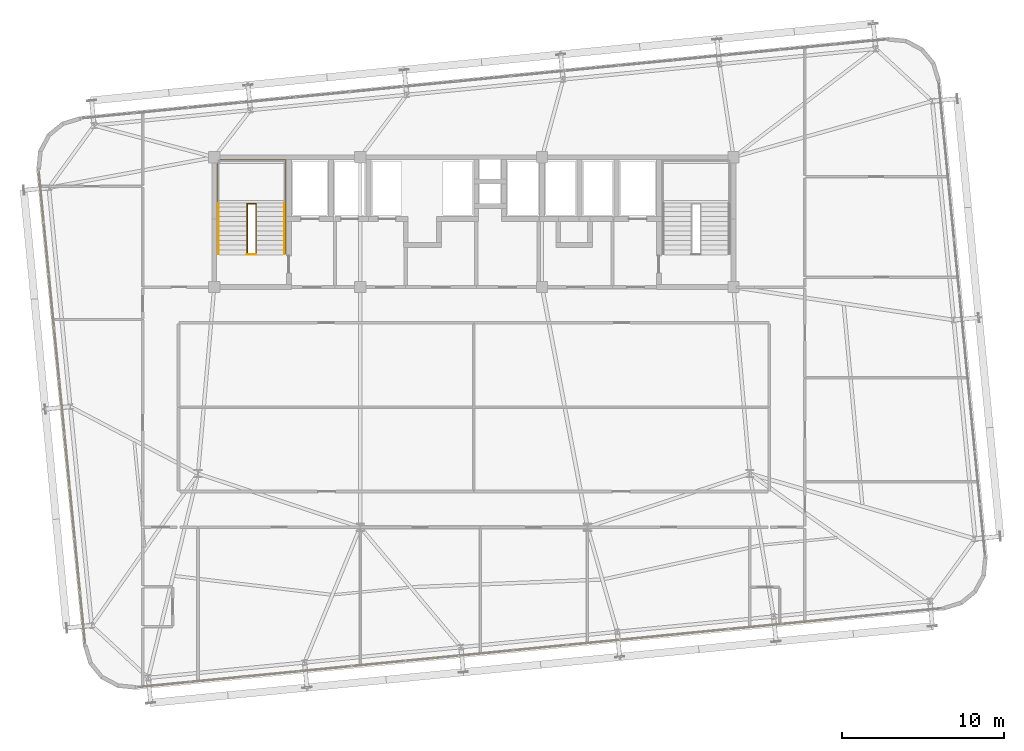
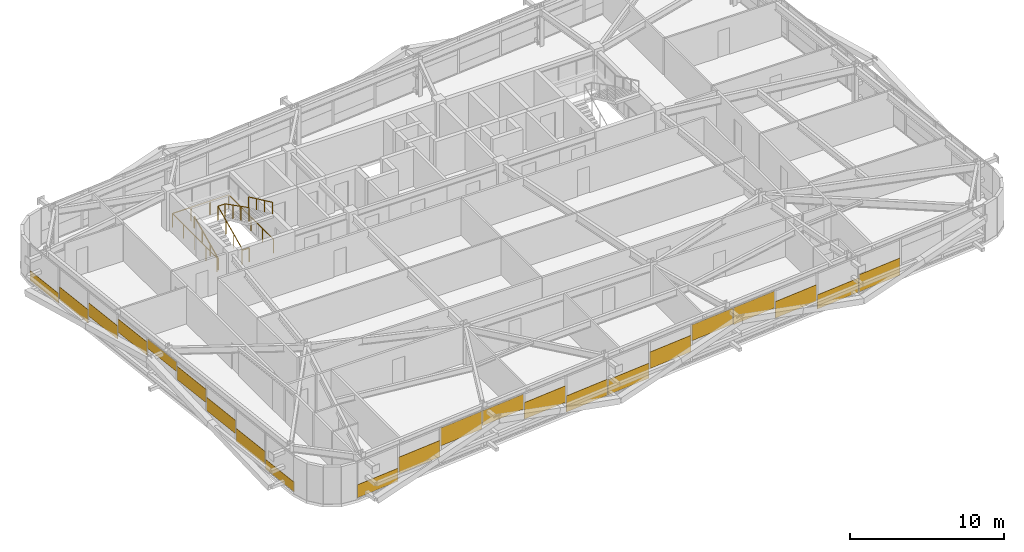
# One storey, part 50 of 52: 22 coverings, 5 railings.
"""IFC4 building model written with IfcOpenShell, lengths in metres."""

import ifcopenshell
import ifcopenshell.guid

model = None  # the IFC model being written
_history = None  # IfcOwnerHistory: only IFC2X3 demands one
_inside = {}  # id of a spatial element -> (the spatial element, [elements in it])
_under = {}  # id of a project, library or spatial element -> (it, [spatial elements below it])
_declared = {}  # id of a project -> (the project, [libraries it declares])
_typed = {}  # id of a type object -> (the type object, [elements of that type])
_made_of = {}  # id of a material, layer set ... -> (it, [elements and type objects made of it])


def new_model(schema):
    """Start an empty IFC model of exactly this schema.

    Asked for "IFC4X3", IfcOpenShell would pick the latest addendum, in which some entities
    have other attributes; the version numbers below select the first issue.
    IFC2X3 requires an IfcOwnerHistory on every rooted entity: one is made here for all.
    """
    global model, _history
    if schema == "IFC4X3":
        model = ifcopenshell.file(schema_version=(4, 3, 0, 0))
    else:
        model = ifcopenshell.file(schema=schema)
    _inside.clear()
    _under.clear()
    _declared.clear()
    _typed.clear()
    _made_of.clear()
    _history = None
    if model.schema == "IFC2X3":
        org = make("IfcOrganization", Name="unknown")
        user = make(
            "IfcPersonAndOrganization",
            ThePerson=make("IfcPerson", FamilyName="unknown"),
            TheOrganization=org,
        )
        app = make(
            "IfcApplication",
            ApplicationDeveloper=org,
            Version="unknown",
            ApplicationFullName="unknown",
            ApplicationIdentifier="unknown",
        )
        _history = make(
            "IfcOwnerHistory",
            OwningUser=user,
            OwningApplication=app,
            ChangeAction="ADDED",
            CreationDate=0,
        )
    return model


def make(cls, **values):
    """One entity of the class cls with the attributes given. An attribute that is None is left unset."""
    return model.create_entity(
        cls, **{name: value for name, value in values.items() if value is not None}
    )


def rooted(cls, **values):
    """An entity with a GlobalId (a new one), such as an element, a storey or a relation."""
    return make(cls, GlobalId=ifcopenshell.guid.new(), OwnerHistory=_history, **values)


def si_unit(unit_type, name, prefix=None):
    """IfcSIUnit, for example si_unit("LENGTHUNIT", "METRE", prefix="MILLI")."""
    return make("IfcSIUnit", UnitType=unit_type, Prefix=prefix, Name=name)


def assignment(units):
    """IfcUnitAssignment: the units of a project."""
    return None if units is None else make("IfcUnitAssignment", Units=units)


def point(xyz):
    """IfcCartesianPoint."""
    return None if xyz is None else make("IfcCartesianPoint", Coordinates=xyz)


def direction(xyz):
    """IfcDirection."""
    return None if xyz is None else make("IfcDirection", DirectionRatios=xyz)


def frame(location, z_axis=None, x_axis=None):
    """IfcAxis2Placement3D, a coordinate frame: its origin and axes. An axis left out is left unset."""
    return make(
        "IfcAxis2Placement3D",
        Location=point(location),
        Axis=direction(z_axis),
        RefDirection=direction(x_axis),
    )


def frame_2d(location, x_axis=None):
    """IfcAxis2Placement2D, a coordinate frame in the plane: its origin and x axis."""
    return make(
        "IfcAxis2Placement2D", Location=point(location), RefDirection=direction(x_axis)
    )


def origin():
    """The frame at (0, 0, 0) with its axes left unset."""
    return frame((0.0, 0.0, 0.0))


def origin_2d():
    """The frame at (0, 0) in the plane with its x axis left unset."""
    return frame_2d((0.0, 0.0))


def place(relative_to, where):
    """IfcLocalPlacement: puts the frame where relative to a parent placement (None: the world)."""
    return make(
        "IfcLocalPlacement", PlacementRelTo=relative_to, RelativePlacement=where
    )


def context(
    kind, dimensions, precision=None, world=None, true_north=None, identifier=None
):
    """IfcGeometricRepresentationContext, for example the 3D "Model" context."""
    return make(
        "IfcGeometricRepresentationContext",
        ContextIdentifier=identifier,
        ContextType=kind,
        CoordinateSpaceDimension=dimensions,
        Precision=precision,
        WorldCoordinateSystem=world,
        TrueNorth=true_north,
    )


def subcontext(parent, identifier, kind, view, scale=None):
    """IfcGeometricRepresentationSubContext, for example "Body" below "Model"."""
    return make(
        "IfcGeometricRepresentationSubContext",
        ContextIdentifier=identifier,
        ContextType=kind,
        ParentContext=parent,
        TargetScale=scale,
        TargetView=view,
    )


def project(units=None, contexts=None):
    """IfcProject with its units and contexts."""
    return rooted(
        "IfcProject",
        Name="project",
        RepresentationContexts=contexts,
        UnitsInContext=assignment(units),
    )


def spatial(cls, under=None, at=None, **own):
    """A site, building, storey or space (cls), placed at a placement, below another one or the project."""
    s = rooted(cls, ObjectPlacement=at, **own)
    if under is not None:
        _under.setdefault(under.id(), (under, []))[1].append(s)
    return s


def profile(cls, at=None, kind="AREA", **sizes):
    """A parametric profile (cls). Its sizes go by their IFC names, for example OverallWidth=200.0."""
    return make(cls, ProfileType=kind, Position=at, **sizes)


def rectangle(**sizes):
    """IfcRectangleProfileDef."""
    return profile("IfcRectangleProfileDef", **sizes)


def extrude(swept, where, along, depth):
    """IfcExtrudedAreaSolid: the profile swept, set in the frame where, extruded along a direction by depth."""
    return make(
        "IfcExtrudedAreaSolid",
        SweptArea=swept,
        Position=where,
        ExtrudedDirection=direction(along),
        Depth=depth,
    )


def shape(context_of_items, identifier, shape_type, items):
    """IfcShapeRepresentation: the items that make up one representation, for example the "Body"."""
    return make(
        "IfcShapeRepresentation",
        ContextOfItems=context_of_items,
        RepresentationIdentifier=identifier,
        RepresentationType=shape_type,
        Items=items,
    )


def source(mapping_origin, context_of_items, identifier, shape_type, items):
    """IfcRepresentationMap: a shape defined once, which mapped items show again and again."""
    return make(
        "IfcRepresentationMap",
        MappingOrigin=mapping_origin,
        MappedRepresentation=shape(context_of_items, identifier, shape_type, items),
    )


def transform(
    local_origin,
    x_axis=None,
    y_axis=None,
    z_axis=None,
    scale=None,
    scale2=None,
    scale3=None,
    uniform=True,
):
    """IfcCartesianTransformationOperator3D, or its non-uniform kind. x_axis, y_axis, z_axis: its Axis1, 2, 3."""
    if uniform:
        return make(
            "IfcCartesianTransformationOperator3D",
            Axis1=direction(x_axis),
            Axis2=direction(y_axis),
            LocalOrigin=point(local_origin),
            Scale=scale,
            Axis3=direction(z_axis),
        )
    return make(
        "IfcCartesianTransformationOperator3DnonUniform",
        Axis1=direction(x_axis),
        Axis2=direction(y_axis),
        LocalOrigin=point(local_origin),
        Scale=scale,
        Axis3=direction(z_axis),
        Scale2=scale2,
        Scale3=scale3,
    )


def mapped(mapping_source, mapping_target):
    """IfcMappedItem: shows the shape of a source again, moved by a transform."""
    return make(
        "IfcMappedItem", MappingSource=mapping_source, MappingTarget=mapping_target
    )


def material(Name=None, Category=None):
    """IfcMaterial."""
    return make("IfcMaterial", Name=Name, Category=Category)


def layer(
    of_material, thickness, ventilated=None, Name=None, Category=None, Priority=None
):
    """IfcMaterialLayer: one layer of a wall or slab, of a material (None: an air gap)."""
    return make(
        "IfcMaterialLayer",
        Material=of_material,
        LayerThickness=thickness,
        IsVentilated=ventilated,
        Name=Name,
        Category=Category,
        Priority=Priority,
    )


def layer_set(layers, Name=None):
    """IfcMaterialLayerSet."""
    return make("IfcMaterialLayerSet", MaterialLayers=layers, LayerSetName=Name)


def made_of(thing, what):
    """Note that an element or type object is made of a material, layer set ...; save() writes the relation."""
    if what is not None:
        _made_of.setdefault(what.id(), (what, []))[1].append(thing)
    return thing


def type_object(cls, material=None, **own):
    """A type object (cls), such as IfcWallType, which elements share."""
    return made_of(rooted(cls, **own), material)


def element(
    cls,
    number,
    at=None,
    inside=None,
    cuts=None,
    type_object=None,
    material=None,
    context=None,
    identifier="Body",
    shape_type=None,
    held_by="IfcProductDefinitionShape",
    body=None,
    shapes=None,
    **own,
):
    """One element of the class cls, such as IfcWall. Its Tag is "e" and its number.

    at: its placement. inside: the storey or other place that contains it. cuts: it is an
    opening in that element (IfcRelVoidsElement). A single representation is given by context,
    identifier, shape_type and body (its items); several are given by shapes. held_by: the class
    of the entity that holds the representations. save() writes the other relations.
    """
    e = rooted(cls, Tag="e%d" % number, ObjectPlacement=at, **own)
    if body is not None:
        shapes = [shape(context, identifier, shape_type, body)]
    if shapes is not None:
        e.Representation = make(held_by, Representations=shapes)
    if inside is not None:
        _inside.setdefault(inside.id(), (inside, []))[1].append(e)
    if cuts is not None:
        rooted(
            "IfcRelVoidsElement", RelatingBuildingElement=cuts, RelatedOpeningElement=e
        )
    if type_object is not None:
        _typed.setdefault(type_object.id(), (type_object, []))[1].append(e)
    return made_of(e, material)


def aggregate(whole, parts):
    """IfcRelAggregates: a whole, such as a stair, and the parts it consists of."""
    return rooted("IfcRelAggregates", RelatingObject=whole, RelatedObjects=parts)


def save(model, path):
    """Write the relations noted so far, then the file.

    IfcRelAggregates (storeys below a building ...), IfcRelContainedInSpatialStructure (elements
    in a storey), IfcRelDefinesByType, IfcRelAssociatesMaterial and IfcRelDeclares: one each for
    every whole, place, type object, material and project.
    """
    for whole, parts in _under.values():
        aggregate(whole, parts)
    for where, things in _inside.values():
        rooted(
            "IfcRelContainedInSpatialStructure",
            RelatedElements=things,
            RelatingStructure=where,
        )
    for kind, things in _typed.values():
        rooted("IfcRelDefinesByType", RelatedObjects=things, RelatingType=kind)
    for what, things in _made_of.values():
        rooted("IfcRelAssociatesMaterial", RelatedObjects=things, RelatingMaterial=what)
    for by, libraries in _declared.values():
        rooted("IfcRelDeclares", RelatingContext=by, RelatedDefinitions=libraries)
    model.write(path)


model = new_model("IFC4")

# Units and contexts
model_context = context("Model", 3, precision=1e-05, world=origin(), true_north=direction((0.0, 1.0)))
body_context = subcontext(model_context, "Body", "Model", "MODEL_VIEW")
ifc_project = project(units=[si_unit("LENGTHUNIT", "METRE"), si_unit("AREAUNIT", "SQUARE_METRE"), si_unit("VOLUMEUNIT", "CUBIC_METRE"), si_unit("PLANEANGLEUNIT", "RADIAN"), si_unit("MASSUNIT", "GRAM", prefix="KILO")], contexts=[model_context])

# Site, building, storey
site_placement = place(None, origin())
site = spatial("IfcSite", under=ifc_project, at=site_placement, CompositionType="ELEMENT")
building_placement = place(site_placement, origin())
building = spatial("IfcBuilding", under=site, at=building_placement, Name="Taldren Reach Tower", CompositionType="ELEMENT")
storey_placement = place(building_placement, frame((0.0, 0.0, 74.550048828125)))
storey = spatial("IfcBuildingStorey", under=building, at=storey_placement, Name="L22", CompositionType="ELEMENT", Elevation=74.550048828125)

# Railings
ifc_material_1 = material(Name="Steel Gr 350 (C350L0)", Category="steel")
ifc_layer_1 = layer(ifc_material_1, 0.050048828125)
ifc_layer_set_1 = layer_set([ifc_layer_1], Name="Steel Gr 350 (C350L0)")
railing_type_1 = type_object("IfcRailingType", Name="RL-STAIR-GR", PredefinedType="GUARDRAIL", material=ifc_layer_set_1)
railing_1_placement = place(storey_placement, frame((21.030029296875, 26.050048828125, 0.131103515625)))
element("IfcRailing", 1, at=railing_1_placement, inside=storey, type_object=railing_type_1, Name="Stairwell inner guard ST1-L22", PredefinedType="GUARDRAIL", context=body_context, shape_type="SweptSolid", body=[
    extrude(rectangle(XDim=0.047852, YDim=0.047852, at=origin_2d()), frame((0.0, 0.0, 1.09619140625), z_axis=(0.0, 0.905710134349, 0.423897573167), x_axis=(-1.0, 0.0, 0.0)), (0.0, 0.0, 1.0), 3.406005859375),
    extrude(rectangle(XDim=0.047852, YDim=0.047852, at=origin_2d()), frame((0.0, 3.0849609375, 2.5400390625), z_axis=(1.0, 0.0, 0.0), x_axis=(0.0, 1.0, 0.0)), (0.0, 0.0, 1.0), 0.5400390625),
    extrude(rectangle(XDim=0.047852, YDim=0.047852, at=origin_2d()), frame((0.5400390625, 3.0849609375, 2.5400390625), z_axis=(0.0, -0.890645957773, 0.45469745755), x_axis=(1.0, 0.0, 0.0)), (0.0, 0.0, 1.0), 3.463623046875),
    extrude(rectangle(XDim=0.041992, YDim=0.041992, at=origin_2d()), origin(), (0.0, 0.0, 1.0), 1.072021484375),
    extrude(rectangle(XDim=0.041992, YDim=0.041992, at=origin_2d()), frame((0.0, 1.0283203125, 0.481201171875)), (0.0, 0.0, 1.0), 1.072021484375),
    extrude(rectangle(XDim=0.041992, YDim=0.041992, at=origin_2d()), frame((0.0, 2.056640625, 0.962646484375)), (0.0, 0.0, 1.0), 1.072021484375),
    extrude(rectangle(XDim=0.041992, YDim=0.041992, at=origin_2d()), frame((0.0, 3.0849609375, 1.44384765625)), (0.0, 0.0, 1.0), 1.072021484375),
    extrude(rectangle(XDim=0.041992, YDim=0.041992, at=origin_2d()), frame((0.5400390625, 3.0849609375, 1.44384765625)), (0.0, 0.0, 1.0), 1.072021484375),
    extrude(rectangle(XDim=0.041992, YDim=0.041992, at=origin_2d()), frame((0.5400390625, 2.056640625, 1.96875)), (0.0, 0.0, 1.0), 1.072021484375),
    extrude(rectangle(XDim=0.041992, YDim=0.041992, at=origin_2d()), frame((0.5400390625, 1.0283203125, 2.493896484375)), (0.0, 0.0, 1.0), 1.072021484375),
    extrude(rectangle(XDim=0.041992, YDim=0.041992, at=origin_2d()), frame((0.5400390625, 0.0, 3.018798828125)), (0.0, 0.0, 1.0), 1.072021484375),
])
railing_2_placement = place(storey_placement, frame((21.030029296875, 26.010009765625, 0.0)))
element("IfcRailing", 2, at=railing_2_placement, inside=storey, type_object=railing_type_1, Name="Stairwell landing slot guard ST1-L22", PredefinedType="GUARDRAIL", context=body_context, shape_type="SweptSolid", body=[
    extrude(rectangle(XDim=0.047852, YDim=0.047852, at=origin_2d()), frame((0.0, 0.0, 1.09619140625), z_axis=(1.0, 0.0, 0.0), x_axis=(0.0, 1.0, 0.0)), (0.0, 0.0, 1.0), 0.5400390625),
    extrude(rectangle(XDim=0.041992, YDim=0.041992, at=origin_2d()), origin(), (0.0, 0.0, 1.0), 1.072021484375),
    extrude(rectangle(XDim=0.041992, YDim=0.041992, at=origin_2d()), frame((0.5400390625, 0.0, 0.0)), (0.0, 0.0, 1.0), 1.072021484375),
])
railing_3_placement = place(storey_placement, frame((19.18994140625, 26.050048828125, 0.0)))
element("IfcRailing", 3, at=railing_3_placement, inside=storey, type_object=railing_type_1, Name="Stairwell floor opening guard ST1-L22", PredefinedType="GUARDRAIL", context=body_context, shape_type="SweptSolid", body=[
    extrude(rectangle(XDim=0.047852, YDim=0.047852, at=origin_2d()), frame((0.0, 0.0, 1.09619140625), z_axis=(0.0, 1.0, 0.0), x_axis=(-1.0, 0.0, 0.0)), (0.0, 0.0, 1.0), 5.800048828125),
    extrude(rectangle(XDim=0.047852, YDim=0.047852, at=origin_2d()), frame((0.0, 5.800048828125, 1.09619140625), z_axis=(1.0, 0.0, 0.0), x_axis=(0.0, 1.0, 0.0)), (0.0, 0.0, 1.0), 4.219970703125),
    extrude(rectangle(XDim=0.047852, YDim=0.047852, at=origin_2d()), frame((4.219970703125, 5.800048828125, 1.09619140625), z_axis=(0.0, -1.0, 0.0), x_axis=(1.0, 0.0, 0.0)), (0.0, 0.0, 1.0), 5.800048828125),
    extrude(rectangle(XDim=0.041992, YDim=0.041992, at=origin_2d()), origin(), (0.0, 0.0, 1.0), 1.072021484375),
    extrude(rectangle(XDim=0.041992, YDim=0.041992, at=origin_2d()), frame((0.0, 1.449951171875, 0.0)), (0.0, 0.0, 1.0), 1.072021484375),
    extrude(rectangle(XDim=0.041992, YDim=0.041992, at=origin_2d()), frame((0.0, 2.89990234375, 0.0)), (0.0, 0.0, 1.0), 1.072021484375),
    extrude(rectangle(XDim=0.041992, YDim=0.041992, at=origin_2d()), frame((0.0, 4.35009765625, 0.0)), (0.0, 0.0, 1.0), 1.072021484375),
    extrude(rectangle(XDim=0.041992, YDim=0.041992, at=origin_2d()), frame((0.0, 5.800048828125, 0.0)), (0.0, 0.0, 1.0), 1.072021484375),
    extrude(rectangle(XDim=0.041992, YDim=0.041992, at=origin_2d()), frame((1.40673828125, 5.800048828125, 0.0)), (0.0, 0.0, 1.0), 1.072021484375),
    extrude(rectangle(XDim=0.041992, YDim=0.041992, at=origin_2d()), frame((2.813232421875, 5.800048828125, 0.0)), (0.0, 0.0, 1.0), 1.072021484375),
    extrude(rectangle(XDim=0.041992, YDim=0.041992, at=origin_2d()), frame((4.219970703125, 5.800048828125, 0.0)), (0.0, 0.0, 1.0), 1.072021484375),
    extrude(rectangle(XDim=0.041992, YDim=0.041992, at=origin_2d()), frame((4.219970703125, 4.35009765625, 0.0)), (0.0, 0.0, 1.0), 1.072021484375),
    extrude(rectangle(XDim=0.041992, YDim=0.041992, at=origin_2d()), frame((4.219970703125, 2.89990234375, 0.0)), (0.0, 0.0, 1.0), 1.072021484375),
    extrude(rectangle(XDim=0.041992, YDim=0.041992, at=origin_2d()), frame((4.219970703125, 1.449951171875, 0.0)), (0.0, 0.0, 1.0), 1.072021484375),
    extrude(rectangle(XDim=0.041992, YDim=0.041992, at=origin_2d()), frame((4.219970703125, 0.0, 0.0)), (0.0, 0.0, 1.0), 1.072021484375),
])
ifc_material_2 = material(Name="Stainless Steel Gr 316", Category="steel")
ifc_layer_2 = layer(ifc_material_2, 0.048095703125)
ifc_layer_set_2 = layer_set([ifc_layer_2], Name="Stainless Steel Gr 316")
railing_type_2 = type_object("IfcRailingType", Name="RL-STAIR-HR", PredefinedType="HANDRAIL", material=ifc_layer_set_2)
railing_4_placement = place(storey_placement, frame((19.27001953125, 26.050048828125, 0.131103515625)))
element("IfcRailing", 4, at=railing_4_placement, inside=storey, type_object=railing_type_2, Name="Stair flight handrail ST1-L22-1", PredefinedType="HANDRAIL", context=body_context, shape_type="SweptSolid", body=[
    extrude(rectangle(XDim=0.047852, YDim=0.047852, at=origin_2d()), frame((0.0, 0.0, 0.89599609375), z_axis=(0.0, 0.905710134349, 0.423897573167), x_axis=(-1.0, 0.0, 0.0)), (0.0, 0.0, 1.0), 3.406005859375),
    extrude(rectangle(XDim=0.041992, YDim=0.041992, at=origin_2d()), origin(), (0.0, 0.0, 1.0), 0.871826171875),
    extrude(rectangle(XDim=0.041992, YDim=0.041992, at=origin_2d()), frame((0.0, 1.0283203125, 0.481201171875)), (0.0, 0.0, 1.0), 0.871826171875),
    extrude(rectangle(XDim=0.041992, YDim=0.041992, at=origin_2d()), frame((0.0, 2.056640625, 0.962646484375)), (0.0, 0.0, 1.0), 0.871826171875),
    extrude(rectangle(XDim=0.041992, YDim=0.041992, at=origin_2d()), frame((0.0, 3.0849609375, 1.44384765625)), (0.0, 0.0, 1.0), 0.871826171875),
])
railing_5_placement = place(storey_placement, frame((23.330078125, 29.135009765625, 1.7060546875)))
element("IfcRailing", 5, at=railing_5_placement, inside=storey, type_object=railing_type_2, Name="Stair flight handrail ST1-L22-2", PredefinedType="HANDRAIL", context=body_context, shape_type="SweptSolid", body=[
    extrude(rectangle(XDim=0.047852, YDim=0.047852, at=origin_2d()), frame((0.0, 0.0, 0.89599609375), z_axis=(0.0, -0.905710134349, 0.423897573167), x_axis=(1.0, 0.0, 0.0)), (0.0, 0.0, 1.0), 3.406005859375),
    extrude(rectangle(XDim=0.041992, YDim=0.041992, at=origin_2d()), origin(), (0.0, 0.0, 1.0), 0.871826171875),
    extrude(rectangle(XDim=0.041992, YDim=0.041992, at=origin_2d()), frame((0.0, -1.0283203125, 0.481201171875)), (0.0, 0.0, 1.0), 0.871826171875),
    extrude(rectangle(XDim=0.041992, YDim=0.041992, at=origin_2d()), frame((0.0, -2.056640625, 0.962646484375)), (0.0, 0.0, 1.0), 0.871826171875),
    extrude(rectangle(XDim=0.041992, YDim=0.041992, at=origin_2d()), frame((0.0, -3.0849609375, 1.44384765625)), (0.0, 0.0, 1.0), 0.871826171875),
])

# Coverings
ifc_material_3 = material(Name="Pale Champagne Fluoropolymer Aluminium Spandrel Cladding", Category="aluminium")
ifc_layer_3 = layer(ifc_material_3, 0.0439453125)
ifc_layer_set_3 = layer_set([ifc_layer_3], Name="Pale Champagne Fluoropolymer Aluminium Spandrel Cladding")
covering_type = type_object("IfcCoveringType", Name="CV-CLAD-044", PredefinedType="CLADDING", material=ifc_layer_set_3)
shared_shape_1 = source(origin(), body_context, "Body", "SweptSolid", [
    extrude(rectangle(XDim=3.268310546875, YDim=0.0439453125, at=origin_2d()), origin(), (0.0, 0.0, 1.0), 1.3046875),
])
for number, where, z_axis, x_axis, name in (
    (6, (19.163818359375, -0.177734375, 0.621826171875), (0.0, 0.0, 1.0), (0.995227390247, 0.097582999046, 0.0), "Diagrid closure cladding strip CW-3 panel 2.1 1"),
    (7, (29.1162109375, 0.798095703125, 0.863037109375), (0.0, 0.0, 1.0), (0.995227390247, 0.097582999046, 0.0), "Diagrid closure cladding strip CW-3 panel 5.1 1"),
    (8, (39.068359375, 1.77392578125, 0.78271484375), (0.0, 0.0, 1.0), (0.995227390247, 0.097582999046, 0.0), "Diagrid closure cladding strip CW-3 panel 8.1 1"),
    (9, (49.020751953125, 2.749755859375, 0.702392578125), (0.0, 0.0, 1.0), (0.995227390247, 0.097582999046, 0.0), "Diagrid closure cladding strip CW-3 panel 11.1 1"),
):
    element("IfcCovering", number, at=place(storey_placement, frame(where, z_axis=z_axis, x_axis=x_axis)), inside=storey, type_object=covering_type, Name=name, PredefinedType="CLADDING", context=body_context, shape_type="MappedRepresentation", body=[
        mapped(shared_shape_1, transform((0.0, 0.0, 0.0), scale=1.0)),
    ])
shared_shape_2 = source(origin(), body_context, "Body", "SweptSolid", [
    extrude(rectangle(XDim=3.268310546875, YDim=0.0439453125, at=origin_2d()), origin(), (0.0, 0.0, 1.0), 1.356201171875),
])
covering_1_placement = place(storey_placement, frame((55.655517578125, 3.400390625, 0.05517578125), z_axis=(0.0, 0.0, 1.0), x_axis=(0.995227390247, 0.097582999046, 0.0)))
element("IfcCovering", 10, at=covering_1_placement, inside=storey, type_object=covering_type, Name="Diagrid closure cladding strip CW-3 panel 13.1 1", PredefinedType="CLADDING", context=body_context, shape_type="MappedRepresentation", body=[
    mapped(shared_shape_2, transform((0.0, 0.0, 0.0), scale=1.0)),
])
shared_shape_3 = source(origin(), body_context, "Body", "SweptSolid", [
    extrude(rectangle(XDim=3.268310546875, YDim=0.0439453125, at=origin_2d()), origin(), (0.0, 0.0, 1.0), 1.115234375),
])
covering_2_placement = place(storey_placement, frame((52.338134765625, 3.0751953125, 0.054931640625), z_axis=(0.0, 0.0, 1.0), x_axis=(0.995227390247, 0.097582999046, 0.0)))
element("IfcCovering", 11, at=covering_2_placement, inside=storey, type_object=covering_type, Name="Diagrid closure cladding strip CW-3 panel 12.1 1", PredefinedType="CLADDING", context=body_context, shape_type="MappedRepresentation", body=[
    mapped(shared_shape_3, transform((0.0, 0.0, 0.0), scale=1.0)),
])
shared_shape_4 = source(origin(), body_context, "Body", "SweptSolid", [
    extrude(rectangle(XDim=3.268310546875, YDim=0.0439453125, at=origin_2d()), origin(), (0.0, 0.0, 1.0), 1.3359375),
])
covering_3_placement = place(storey_placement, frame((45.703369140625, 2.424560546875, 1.5390625), z_axis=(0.0, 0.0, 1.0), x_axis=(0.995227390247, 0.097582999046, 0.0)))
element("IfcCovering", 12, at=covering_3_placement, inside=storey, type_object=covering_type, Name="Diagrid closure cladding strip CW-3 panel 10.1 1", PredefinedType="CLADDING", context=body_context, shape_type="MappedRepresentation", body=[
    mapped(shared_shape_4, transform((0.0, 0.0, 0.0), scale=1.0)),
])
shared_shape_5 = source(origin(), body_context, "Body", "SweptSolid", [
    extrude(rectangle(XDim=3.268310546875, YDim=0.0439453125, at=origin_2d()), origin(), (0.0, 0.0, 1.0), 1.255615234375),
])
covering_4_placement = place(storey_placement, frame((42.3857421875, 2.099365234375, 1.619140625), z_axis=(0.0, 0.0, 1.0), x_axis=(0.995227390247, 0.097582999046, 0.0)))
element("IfcCovering", 13, at=covering_4_placement, inside=storey, type_object=covering_type, Name="Diagrid closure cladding strip CW-3 panel 9.1 1", PredefinedType="CLADDING", context=body_context, shape_type="MappedRepresentation", body=[
    mapped(shared_shape_5, transform((0.0, 0.0, 0.0), scale=1.0)),
])
shared_shape_6 = source(origin(), body_context, "Body", "SweptSolid", [
    extrude(rectangle(XDim=3.268310546875, YDim=0.0439453125, at=origin_2d()), origin(), (0.0, 0.0, 1.0), 1.195556640625),
])
covering_5_placement = place(storey_placement, frame((35.7509765625, 1.44873046875, 0.05517578125), z_axis=(0.0, 0.0, 1.0), x_axis=(0.995227390247, 0.097582999046, 0.0)))
element("IfcCovering", 14, at=covering_5_placement, inside=storey, type_object=covering_type, Name="Diagrid closure cladding strip CW-3 panel 7.1 1", PredefinedType="CLADDING", context=body_context, shape_type="MappedRepresentation", body=[
    mapped(shared_shape_6, transform((0.0, 0.0, 0.0), scale=1.0)),
])
shared_shape_7 = source(origin(), body_context, "Body", "SweptSolid", [
    extrude(rectangle(XDim=3.268310546875, YDim=0.0439453125, at=origin_2d()), origin(), (0.0, 0.0, 1.0), 1.27587890625),
])
covering_6_placement = place(storey_placement, frame((32.43359375, 1.12353515625, 0.054931640625), z_axis=(0.0, 0.0, 1.0), x_axis=(0.995227390247, 0.097582999046, 0.0)))
element("IfcCovering", 15, at=covering_6_placement, inside=storey, type_object=covering_type, Name="Diagrid closure cladding strip CW-3 panel 6.1 1", PredefinedType="CLADDING", context=body_context, shape_type="MappedRepresentation", body=[
    mapped(shared_shape_7, transform((0.0, 0.0, 0.0), scale=1.0)),
])
shared_shape_8 = source(origin(), body_context, "Body", "SweptSolid", [
    extrude(rectangle(XDim=3.268310546875, YDim=0.0439453125, at=origin_2d()), origin(), (0.0, 0.0, 1.0), 1.17529296875),
])
covering_7_placement = place(storey_placement, frame((25.798828125, 0.472900390625, 1.69970703125), z_axis=(0.0, 0.0, 1.0), x_axis=(0.995227390247, 0.097582999046, 0.0)))
element("IfcCovering", 16, at=covering_7_placement, inside=storey, type_object=covering_type, Name="Diagrid closure cladding strip CW-3 panel 4.1 1", PredefinedType="CLADDING", context=body_context, shape_type="MappedRepresentation", body=[
    mapped(shared_shape_8, transform((0.0, 0.0, 0.0), scale=1.0)),
])
shared_shape_9 = source(origin(), body_context, "Body", "SweptSolid", [
    extrude(rectangle(XDim=3.268310546875, YDim=0.0439453125, at=origin_2d()), origin(), (0.0, 0.0, 1.0), 1.416259765625),
])
covering_8_placement = place(storey_placement, frame((22.481201171875, 0.147705078125, 1.45849609375), z_axis=(0.0, 0.0, 1.0), x_axis=(0.995227390247, 0.097582999046, 0.0)))
element("IfcCovering", 17, at=covering_8_placement, inside=storey, type_object=covering_type, Name="Diagrid closure cladding strip CW-3 panel 3.1 1", PredefinedType="CLADDING", context=body_context, shape_type="MappedRepresentation", body=[
    mapped(shared_shape_9, transform((0.0, 0.0, 0.0), scale=1.0)),
])
shared_shape_10 = source(origin(), body_context, "Body", "SweptSolid", [
    extrude(rectangle(XDim=3.23583984375, YDim=0.0439453125, at=origin_2d()), origin(), (0.0, 0.0, 1.0), 1.034912109375),
])
covering_9_placement = place(storey_placement, frame((15.862548828125, -0.501220703125, 0.05517578125), z_axis=(0.0, 0.0, 1.0), x_axis=(0.995227390247, 0.097582999046, 0.0)))
element("IfcCovering", 18, at=covering_9_placement, inside=storey, type_object=covering_type, Name="Diagrid closure cladding strip CW-3 panel 1.1 1", PredefinedType="CLADDING", context=body_context, shape_type="MappedRepresentation", body=[
    mapped(shared_shape_10, transform((0.0, 0.0, 0.0), scale=1.0)),
])
shared_shape_11 = source(origin(), body_context, "Body", "SweptSolid", [
    extrude(rectangle(XDim=3.212890625, YDim=0.0439453125, at=origin_2d()), origin(), (0.0, 0.0, 1.0), 1.053466796875),
])
for number, where, z_axis, x_axis, name in (
    (19, (8.663330078125, 26.36767578125, 0.35986328125), (0.0, 0.0, 1.0), (0.09758274098, -0.99522741555, 0.0), "Diagrid closure cladding strip CW-3 panel 2.1 1"),
    (20, (8.983154296875, 23.105712890625, 0.94775390625), (0.0, 0.0, 1.0), (0.09758274098, -0.99522741555, 0.0), "Diagrid closure cladding strip CW-3 panel 3.1 1"),
    (21, (9.30322265625, 19.843505859375, 1.53515625), (0.0, 0.0, 1.0), (0.09758274098, -0.99522741555, 0.0), "Diagrid closure cladding strip CW-3 panel 4.1 1"),
    (22, (9.94287109375, 13.319091796875, 1.53515625), (0.0, 0.0, 1.0), (0.09758274098, -0.99522741555, 0.0), "Diagrid closure cladding strip CW-3 panel 6.1 1"),
    (23, (10.2626953125, 10.05712890625, 0.94775390625), (0.0, 0.0, 1.0), (0.09758274098, -0.99522741555, 0.0), "Diagrid closure cladding strip CW-3 panel 7.1 1"),
    (24, (10.58251953125, 6.794921875, 0.35986328125), (0.0, 0.0, 1.0), (0.09758274098, -0.99522741555, 0.0), "Diagrid closure cladding strip CW-3 panel 8.1 1"),
):
    element("IfcCovering", number, at=place(storey_placement, frame(where, z_axis=z_axis, x_axis=x_axis)), inside=storey, type_object=covering_type, Name=name, PredefinedType="CLADDING", context=body_context, shape_type="MappedRepresentation", body=[
        mapped(shared_shape_11, transform((0.0, 0.0, 0.0), scale=1.0)),
    ])
shared_shape_12 = source(origin(), body_context, "Body", "SweptSolid", [
    extrude(rectangle(XDim=3.18017578125, YDim=0.0439453125, at=origin_2d()), origin(), (0.0, 0.0, 1.0), 0.7705078125),
])
for number, where, z_axis, x_axis, name in (
    (25, (8.34521484375, 29.61376953125, 0.054931640625), (0.0, 0.0, 1.0), (0.09758274098, -0.99522741555, 0.0), "Diagrid closure cladding strip CW-3 panel 1.1 1"),
    (26, (10.90087890625, 3.549072265625, 0.054931640625), (0.0, 0.0, 1.0), (0.09758274098, -0.99522741555, 0.0), "Diagrid closure cladding strip CW-3 panel 9.1 1"),
):
    element("IfcCovering", number, at=place(storey_placement, frame(where, z_axis=z_axis, x_axis=x_axis)), inside=storey, type_object=covering_type, Name=name, PredefinedType="CLADDING", context=body_context, shape_type="MappedRepresentation", body=[
        mapped(shared_shape_12, transform((0.0, 0.0, 0.0), scale=1.0)),
    ])
shared_shape_13 = source(origin(), body_context, "Body", "SweptSolid", [
    extrude(rectangle(XDim=3.212890625, YDim=0.0439453125, at=origin_2d()), origin(), (0.0, 0.0, 1.0), 0.751708984375),
])
covering_10_placement = place(storey_placement, frame((9.623046875, 16.581298828125, 2.123046875), z_axis=(0.0, 0.0, 1.0), x_axis=(0.09758274098, -0.99522741555, 0.0)))
element("IfcCovering", 27, at=covering_10_placement, inside=storey, type_object=covering_type, Name="Diagrid closure cladding strip CW-3 panel 5.1 1", PredefinedType="CLADDING", context=body_context, shape_type="MappedRepresentation", body=[
    mapped(shared_shape_13, transform((0.0, 0.0, 0.0), scale=1.0)),
])

save(model, "model.ifc")
